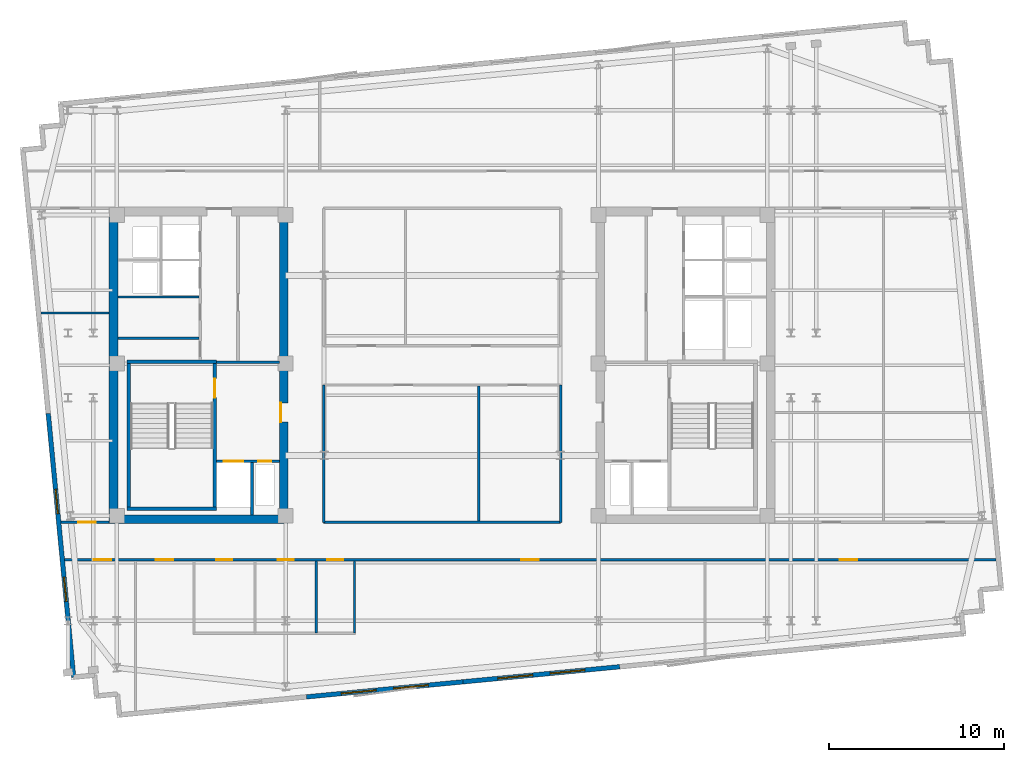
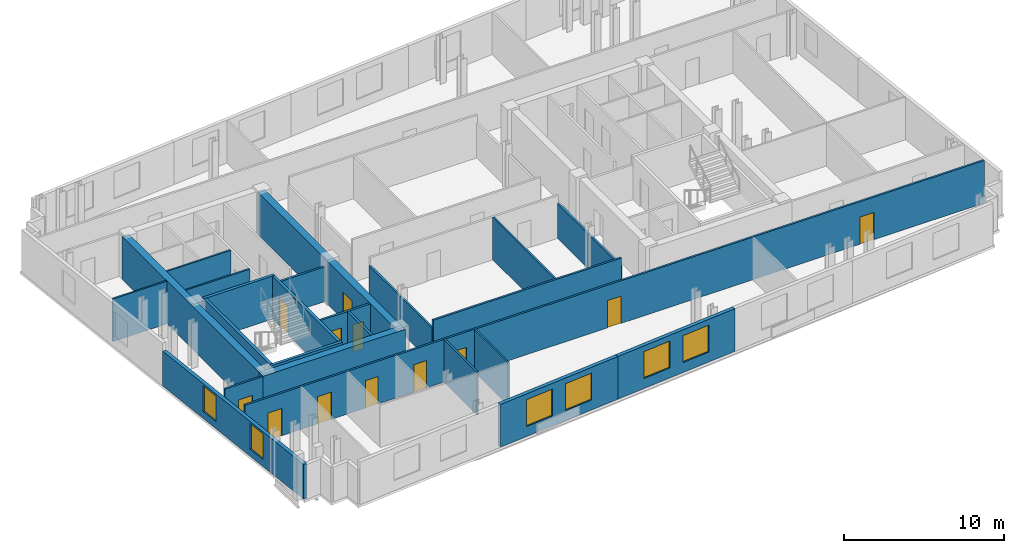
# One storey, part 3 of 8: 24 walls, 12 doors, 6 windows, 18 openings.
"""IFC4 building model written with IfcOpenShell, lengths in metres."""

from ifc_helpers import new_model, si_unit, direction, frame, frame_2d, origin, place, context, subcontext, project, spatial, rectangle, extrude, material, layer, layer_set, type_object, element, fill, save


model = new_model("IFC4")

# Units and contexts
model_context = context("Model", 3, precision=1e-05, world=origin(), true_north=direction((0.0, 1.0)))
body_context = subcontext(model_context, "Body", "Model", "MODEL_VIEW")
ifc_project = project(units=[si_unit("LENGTHUNIT", "METRE"), si_unit("AREAUNIT", "SQUARE_METRE"), si_unit("VOLUMEUNIT", "CUBIC_METRE"), si_unit("PLANEANGLEUNIT", "RADIAN"), si_unit("MASSUNIT", "GRAM", prefix="KILO")], contexts=[model_context])

# Site, building, storey
site_placement = place(None, origin())
site = spatial("IfcSite", under=ifc_project, at=site_placement, CompositionType="ELEMENT")
building_placement = place(site_placement, origin())
building = spatial("IfcBuilding", under=site, at=building_placement, Name="Velakula Bourse", CompositionType="ELEMENT")
storey_placement = place(building_placement, frame((0.0, 0.0, 255.14990234375)))
storey = spatial("IfcBuildingStorey", under=building, at=storey_placement, Name="L69", CompositionType="ELEMENT", Elevation=255.14990234375)

# Wall, opening, door
ifc_material_1 = material(Name="Concrete M50 (fck 50 MPa)", Category="concrete")
ifc_layer_1 = layer(ifc_material_1, 0.2099609375, Name="Concrete M50 (fck 50 MPa)", Category="concrete")
ifc_layer_set_1 = layer_set([ifc_layer_1], Name="Concrete M50 (fck 50 MPa)")
wall_type_1 = type_object("IfcWallType", Name="WL-CORE-210", PredefinedType="SHEAR", material=ifc_layer_set_1)
wall_1_placement = place(storey_placement, frame((-12.9951171875, -8.10009765625, 0.0), z_axis=(0.0, 0.0, 1.0), x_axis=(0.0, 1.0, 0.0)))
wall_1 = element("IfcWall", 1, at=wall_1_placement, inside=storey, type_object=wall_type_1, Name="L69 Core W Stairwell Shear Wall IN", PredefinedType="SHEAR", context=body_context, shape_type="SweptSolid", body=[
    extrude(rectangle(XDim=8.2001953125, YDim=0.2099609375, at=frame_2d((4.10009765625, 0.0))), origin(), (0.0, 0.0, 1.0), 3.27001953125),
])
opening_1_placement = place(wall_1_placement, frame((6.25, 0.0, 0.0)))
opening_1 = element("IfcOpeningElement", 2, at=opening_1_placement, cuts=wall_1, Name="Opening D-STW1", PredefinedType="OPENING", context=body_context, shape_type="SweptSolid", body=[
    extrude(rectangle(XDim=1.10009765625, YDim=2.14990234375, at=frame_2d((0.550048828125, 1.074951171875))), frame((0.0, 0.114990234375, 0.0), z_axis=(0.0, -1.0, 0.0), x_axis=(1.0, 0.0, 0.0)), (0.0, 0.0, 1.0), 0.22998046875),
])
ifc_material_2 = material(Name="Galvanised painted hollow steel fire door", Category="steel")
door_type_1 = type_object("IfcDoorType", Name="DR-FD120-1100x2150", OperationType="NOTDEFINED", PredefinedType="DOOR", material=ifc_material_2)
door_1_placement = place(opening_1_placement, origin())
door_1 = element("IfcDoor", 3, at=door_1_placement, inside=storey, type_object=door_type_1, Name="L69 Stair ST-W1 Fire Door", OperationType="SINGLE_SWING_LEFT", OverallHeight=2.14990234375, OverallWidth=1.10009765625, PredefinedType="DOOR", context=body_context, shape_type="SweptSolid", body=[
    extrude(rectangle(XDim=1.10009765625, YDim=2.14990234375, at=frame_2d((0.550048828125, 1.074951171875))), frame((0.0, 0.02490234375, 0.0), z_axis=(0.0, -1.0, 0.0), x_axis=(1.0, 0.0, 0.0)), (0.0, 0.0, 1.0), 0.050048828125),
])
fill(opening_1, door_1)

# Walls
wall_2_placement = place(storey_placement, frame((-17.925048828125, -8.10009765625, 0.0), z_axis=(0.0, 0.0, 1.0), x_axis=(0.0, 1.0, 0.0)))
element("IfcWall", 4, at=wall_2_placement, inside=storey, type_object=wall_type_1, Name="L69 Core W Stairwell Shear Wall OUT", PredefinedType="SHEAR", context=body_context, shape_type="SweptSolid", body=[
    extrude(rectangle(XDim=8.2001953125, YDim=0.2099609375, at=frame_2d((4.10009765625, 0.0))), origin(), (0.0, 0.0, 1.0), 3.27001953125),
])
for number, where, z_axis, x_axis, name in (
    (5, (-18.030029296875, -8.205078125, 0.0), (0.0, 0.0, 1.0), (1.0, 0.0, 0.0), "L69 Core W Stairwell Shear Wall S"),
    (6, (-12.889892578125, 0.205078125, 0.0), (0.0, 0.0, 1.0), (-1.0, 0.0, 0.0), "L69 Core W Stairwell Shear Wall N"),
):
    element("IfcWall", number, at=place(storey_placement, frame(where, z_axis=z_axis, x_axis=x_axis)), inside=storey, type_object=wall_type_1, Name=name, PredefinedType="SHEAR", context=body_context, shape_type="SweptSolid", body=[
        extrude(rectangle(XDim=5.14013671875, YDim=0.2099609375, at=frame_2d((2.570068359375, 0.0))), origin(), (0.0, 0.0, 1.0), 3.27001953125),
    ])
ifc_layer_2 = layer(ifc_material_1, 0.5, Name="Concrete M50 (fck 50 MPa)", Category="concrete")
ifc_layer_set_2 = layer_set([ifc_layer_2], Name="Concrete M50 (fck 50 MPa)")
wall_type_2 = type_object("IfcWallType", Name="WL-CORE-500", PredefinedType="SHEAR", material=ifc_layer_set_2)
wall_3_placement = place(storey_placement, frame((-19.050048828125, -8.800048828125, 0.0), z_axis=(0.0, 0.0, 1.0), x_axis=(1.0, 0.0, 0.0)))
element("IfcWall", 7, at=wall_3_placement, inside=storey, type_object=wall_type_2, Name="L69 Core W Shear Wall S", PredefinedType="SHEAR", context=body_context, shape_type="SweptSolid", body=[
    extrude(rectangle(XDim=10.25, YDim=0.5, at=frame_2d((5.125, 0.0))), origin(), (0.0, 0.0, 1.0), 3.27001953125),
])
wall_4_placement = place(storey_placement, frame((-18.800048828125, -8.550048828125, 0.0), z_axis=(0.0, 0.0, 1.0), x_axis=(0.0, 1.0, 0.0)))
element("IfcWall", 8, at=wall_4_placement, inside=storey, type_object=wall_type_2, Name="L69 Core W Shear Wall W", PredefinedType="SHEAR", context=body_context, shape_type="SweptSolid", body=[
    extrude(rectangle(XDim=17.10009765625, YDim=0.5, at=frame_2d((8.550048828125, 0.0))), origin(), (0.0, 0.0, 1.0), 3.27001953125),
])

# Wall, opening, door
wall_5_placement = place(storey_placement, frame((-9.050048828125, -8.550048828125, 0.0), z_axis=(0.0, 0.0, 1.0), x_axis=(0.0, 1.0, 0.0)))
wall_5 = element("IfcWall", 9, at=wall_5_placement, inside=storey, type_object=wall_type_2, Name="L69 Core W Shear Wall E", PredefinedType="SHEAR", context=body_context, shape_type="SweptSolid", body=[
    extrude(rectangle(XDim=17.10009765625, YDim=0.5, at=frame_2d((8.550048828125, 0.0))), origin(), (0.0, 0.0, 1.0), 3.27001953125),
])
opening_2_placement = place(wall_5_placement, frame((5.300048828125, 0.0, 0.0)))
opening_2 = element("IfcOpeningElement", 10, at=opening_2_placement, cuts=wall_5, Name="Opening D-FLW", PredefinedType="OPENING", context=body_context, shape_type="SweptSolid", body=[
    extrude(rectangle(XDim=1.10009765625, YDim=2.080078125, at=frame_2d((0.550048828125, 1.0400390625))), frame((0.0, 0.260009765625, 0.0), z_axis=(0.0, -1.0, 0.0), x_axis=(1.0, 0.0, 0.0)), (0.0, 0.0, 1.0), 0.52001953125),
])
door_type_2 = type_object("IfcDoorType", Name="DR-FD120-1100", OperationType="NOTDEFINED", PredefinedType="DOOR", material=ifc_material_2)
door_2_placement = place(opening_2_placement, origin())
door_2 = element("IfcDoor", 11, at=door_2_placement, inside=storey, type_object=door_type_2, Name="L69 Firefighting Lobby W Corridor Fire Door", OperationType="SINGLE_SWING_LEFT", OverallHeight=2.080078125, OverallWidth=1.10009765625, PredefinedType="DOOR", context=body_context, shape_type="SweptSolid", body=[
    extrude(rectangle(XDim=1.10009765625, YDim=2.080078125, at=frame_2d((0.550048828125, 1.0400390625))), frame((0.0, 0.205078125, 0.0), z_axis=(0.0, -1.0, 0.0), x_axis=(1.0, 0.0, 0.0)), (0.0, 0.0, 1.0), 0.050048828125),
])
fill(opening_2, door_2)

# Wall, openings, windows
ifc_material_3 = material(Name="Buff kilned clay facing brick masonry", Category="masonry")
ifc_layer_3 = layer(ifc_material_3, 0.260009765625, Name="Buff kilned clay facing brick masonry", Category="masonry")
ifc_layer_set_3 = layer_set([ifc_layer_3], Name="Buff kilned clay facing brick masonry")
wall_type_3 = type_object("IfcWallType", Name="WL-EXT-BRK-260", PredefinedType="STANDARD", material=ifc_layer_set_3)
wall_6_placement = place(storey_placement, frame((1.202880859375, -18.1005859375, 0.0), z_axis=(0.0, 0.0, 1.0), x_axis=(-0.995397043619, -0.095836973841, 0.0)))
wall_6 = element("IfcWall", 12, at=wall_6_placement, inside=storey, type_object=wall_type_3, Name="L69 S Brick Spandrel Wall B2", PredefinedType="STANDARD", context=body_context, shape_type="SweptSolid", body=[
    extrude(rectangle(XDim=9.000244140625, YDim=0.260009765625, at=frame_2d((4.5, 0.0))), origin(), (0.0, 0.0, 1.0), 3.25),
])
opening_3_placement = place(wall_6_placement, frame((2.0, 0.0, 0.760009765625)))
opening_3 = element("IfcOpeningElement", 13, at=opening_3_placement, cuts=wall_6, Name="Opening W-05", PredefinedType="OPENING", context=body_context, shape_type="SweptSolid", body=[
    extrude(rectangle(XDim=2.0, YDim=2.050048828125, at=frame_2d((1.0, 1.02490234375))), frame((0.0, 0.139892578125, 0.0), z_axis=(0.0, -1.0, 0.0), x_axis=(1.0, 0.0, 0.0)), (0.0, 0.0, 1.0), 0.280029296875),
])
opening_4_placement = place(wall_6_placement, frame((5.0, 0.0, 0.760009765625)))
opening_4 = element("IfcOpeningElement", 14, at=opening_4_placement, cuts=wall_6, Name="Opening W-05", PredefinedType="OPENING", context=body_context, shape_type="SweptSolid", body=[
    extrude(rectangle(XDim=2.0, YDim=2.050048828125, at=frame_2d((1.0, 1.02490234375))), frame((0.0, 0.139892578125, 0.0), z_axis=(0.0, -1.0, 0.0), x_axis=(1.0, 0.0, 0.0)), (0.0, 0.0, 1.0), 0.280029296875),
])
ifc_material_4 = material(Name="Double-glazed solar-control Low-E glass", Category="glass")
window_type_1 = type_object("IfcWindowType", Name="WIN-TWR-2000x2200", PartitioningType="DOUBLE_PANEL_VERTICAL", PredefinedType="WINDOW", material=ifc_material_4)
window_1_placement = place(opening_3_placement, origin())
window_1 = element("IfcWindow", 15, at=window_1_placement, inside=storey, type_object=window_type_1, Name="L69 Deep-Set Recessed Window 1", OverallHeight=2.050048828125, OverallWidth=2.0, PartitioningType="DOUBLE_PANEL_VERTICAL", PredefinedType="WINDOW", context=body_context, shape_type="SweptSolid", body=[
    extrude(rectangle(XDim=2.0, YDim=2.050048828125, at=frame_2d((1.0, 1.02490234375))), frame((0.0, 0.030029296875, 0.0), z_axis=(0.0, -1.0, 0.0), x_axis=(1.0, 0.0, 0.0)), (0.0, 0.0, 1.0), 0.06005859375),
])
fill(opening_3, window_1)
window_2_placement = place(opening_4_placement, origin())
window_2 = element("IfcWindow", 16, at=window_2_placement, inside=storey, type_object=window_type_1, Name="L69 Deep-Set Recessed Window 2", OverallHeight=2.050048828125, OverallWidth=2.0, PartitioningType="DOUBLE_PANEL_VERTICAL", PredefinedType="WINDOW", context=body_context, shape_type="SweptSolid", body=[
    extrude(rectangle(XDim=2.0, YDim=2.050048828125, at=frame_2d((1.0, 1.02490234375))), frame((0.0, 0.030029296875, 0.0), z_axis=(0.0, -1.0, 0.0), x_axis=(1.0, 0.0, 0.0)), (0.0, 0.0, 1.0), 0.06005859375),
])
fill(opening_4, window_2)

wall_7_placement = place(storey_placement, frame((10.161376953125, -17.23779296875, 0.0), z_axis=(0.0, 0.0, 1.0), x_axis=(-0.995394206237, -0.095866439332, 0.0)))
wall_7 = element("IfcWall", 17, at=wall_7_placement, inside=storey, type_object=wall_type_3, Name="L69 S Brick Spandrel Wall B3", PredefinedType="STANDARD", context=body_context, shape_type="SweptSolid", body=[
    extrude(rectangle(XDim=9.0, YDim=0.260009765625, at=frame_2d((4.5, 0.0))), origin(), (0.0, 0.0, 1.0), 3.25),
])
opening_5_placement = place(wall_7_placement, frame((2.0, 0.0, 0.760009765625)))
opening_5 = element("IfcOpeningElement", 18, at=opening_5_placement, cuts=wall_7, Name="Opening W-05", PredefinedType="OPENING", context=body_context, shape_type="SweptSolid", body=[
    extrude(rectangle(XDim=2.0, YDim=2.050048828125, at=frame_2d((1.0, 1.02490234375))), frame((0.0, 0.139892578125, 0.0), z_axis=(0.0, -1.0, 0.0), x_axis=(1.0, 0.0, 0.0)), (0.0, 0.0, 1.0), 0.280029296875),
])
opening_6_placement = place(wall_7_placement, frame((5.0, 0.0, 0.760009765625)))
opening_6 = element("IfcOpeningElement", 19, at=opening_6_placement, cuts=wall_7, Name="Opening W-05", PredefinedType="OPENING", context=body_context, shape_type="SweptSolid", body=[
    extrude(rectangle(XDim=2.0, YDim=2.050048828125, at=frame_2d((1.0, 1.02490234375))), frame((0.0, 0.139892578125, 0.0), z_axis=(0.0, -1.0, 0.0), x_axis=(1.0, 0.0, 0.0)), (0.0, 0.0, 1.0), 0.280029296875),
])
window_3_placement = place(opening_5_placement, origin())
window_3 = element("IfcWindow", 20, at=window_3_placement, inside=storey, type_object=window_type_1, Name="L69 Deep-Set Recessed Window 1", OverallHeight=2.050048828125, OverallWidth=2.0, PartitioningType="DOUBLE_PANEL_VERTICAL", PredefinedType="WINDOW", context=body_context, shape_type="SweptSolid", body=[
    extrude(rectangle(XDim=2.0, YDim=2.050048828125, at=frame_2d((1.0, 1.02490234375))), frame((0.0, 0.030029296875, 0.0), z_axis=(0.0, -1.0, 0.0), x_axis=(1.0, 0.0, 0.0)), (0.0, 0.0, 1.0), 0.06005859375),
])
fill(opening_5, window_3)
window_4_placement = place(opening_6_placement, origin())
window_4 = element("IfcWindow", 21, at=window_4_placement, inside=storey, type_object=window_type_1, Name="L69 Deep-Set Recessed Window 2", OverallHeight=2.050048828125, OverallWidth=2.0, PartitioningType="DOUBLE_PANEL_VERTICAL", PredefinedType="WINDOW", context=body_context, shape_type="SweptSolid", body=[
    extrude(rectangle(XDim=2.0, YDim=2.050048828125, at=frame_2d((1.0, 1.02490234375))), frame((0.0, 0.030029296875, 0.0), z_axis=(0.0, -1.0, 0.0), x_axis=(1.0, 0.0, 0.0)), (0.0, 0.0, 1.0), 0.06005859375),
])
fill(opening_6, window_4)

wall_8_placement = place(storey_placement, frame((-21.0751953125, -17.83447265625, 0.0), z_axis=(0.0, 0.0, 1.0), x_axis=(-0.095852427869, 0.995395555582, 0.0)))
wall_8 = element("IfcWall", 22, at=wall_8_placement, inside=storey, type_object=wall_type_3, Name="L69 W Brick End Wall W1", PredefinedType="STANDARD", context=body_context, shape_type="SweptSolid", body=[
    extrude(rectangle(XDim=15.14990234375, YDim=0.260009765625, at=frame_2d((7.574951171875, 0.0))), origin(), (0.0, 0.0, 1.0), 2.64501953125),
])
opening_7_placement = place(wall_8_placement, frame((4.35009765625, 0.0, 0.534912109375)))
opening_7 = element("IfcOpeningElement", 23, at=opening_7_placement, cuts=wall_8, Name="Opening W-03", PredefinedType="OPENING", context=body_context, shape_type="SweptSolid", body=[
    extrude(rectangle(XDim=1.39990234375, YDim=1.949951171875, at=frame_2d((0.699951171875, 0.97509765625))), frame((0.0, 0.139892578125, 0.0), z_axis=(0.0, -1.0, 0.0), x_axis=(1.0, 0.0, 0.0)), (0.0, 0.0, 1.0), 0.280029296875),
])
opening_8_placement = place(wall_8_placement, frame((9.39990234375, 0.0, 0.534912109375)))
opening_8 = element("IfcOpeningElement", 24, at=opening_8_placement, cuts=wall_8, Name="Opening W-03", PredefinedType="OPENING", context=body_context, shape_type="SweptSolid", body=[
    extrude(rectangle(XDim=1.39990234375, YDim=1.949951171875, at=frame_2d((0.699951171875, 0.97509765625))), frame((0.0, 0.139892578125, 0.0), z_axis=(0.0, -1.0, 0.0), x_axis=(1.0, 0.0, 0.0)), (0.0, 0.0, 1.0), 0.280029296875),
])
window_type_2 = type_object("IfcWindowType", Name="WIN-TWR-1400x2100", PartitioningType="SINGLE_PANEL", PredefinedType="WINDOW", material=ifc_material_4)
window_5_placement = place(opening_7_placement, origin())
window_5 = element("IfcWindow", 25, at=window_5_placement, inside=storey, type_object=window_type_2, Name="L69 Deep-Set Recessed Window 1", OverallHeight=1.949951171875, OverallWidth=1.39990234375, PartitioningType="SINGLE_PANEL", PredefinedType="WINDOW", context=body_context, shape_type="SweptSolid", body=[
    extrude(rectangle(XDim=1.39990234375, YDim=1.949951171875, at=frame_2d((0.699951171875, 0.97509765625))), frame((0.0, 0.030029296875, 0.0), z_axis=(0.0, -1.0, 0.0), x_axis=(1.0, 0.0, 0.0)), (0.0, 0.0, 1.0), 0.06005859375),
])
fill(opening_7, window_5)
window_6_placement = place(opening_8_placement, origin())
window_6 = element("IfcWindow", 26, at=window_6_placement, inside=storey, type_object=window_type_2, Name="L69 Deep-Set Recessed Window 2", OverallHeight=1.949951171875, OverallWidth=1.39990234375, PartitioningType="SINGLE_PANEL", PredefinedType="WINDOW", context=body_context, shape_type="SweptSolid", body=[
    extrude(rectangle(XDim=1.39990234375, YDim=1.949951171875, at=frame_2d((0.699951171875, 0.97509765625))), frame((0.0, 0.030029296875, 0.0), z_axis=(0.0, -1.0, 0.0), x_axis=(1.0, 0.0, 0.0)), (0.0, 0.0, 1.0), 0.06005859375),
])
fill(opening_8, window_6)

# Walls
ifc_material_5 = material(Name="Fire-rated double-layer gypsum drywall partition", Category="gypsum")
ifc_layer_4 = layer(ifc_material_5, 0.1201171875, Name="Fire-rated double-layer gypsum drywall partition", Category="gypsum")
ifc_layer_set_4 = layer_set([ifc_layer_4], Name="Fire-rated double-layer gypsum drywall partition")
wall_type_4 = type_object("IfcWallType", Name="WL-PART-120", PredefinedType="STANDARD", material=ifc_layer_set_4)
for number, where, z_axis, x_axis, name in (
    (27, (-18.550048828125, 3.919921875, 0.0), (0.0, 0.0, 1.0), (1.0, 0.0, 0.0), "L69 Interior Partition WL-CRW-L69-HI-S"),
    (28, (-18.550048828125, 1.550048828125, 0.0), (0.0, 0.0, 1.0), (1.0, 0.0, 0.0), "L69 Interior Partition WL-CRW-L69-K1"),
):
    element("IfcWall", number, at=place(storey_placement, frame(where, z_axis=z_axis, x_axis=x_axis)), inside=storey, type_object=wall_type_4, Name=name, PredefinedType="STANDARD", context=body_context, shape_type="SweptSolid", body=[
        extrude(rectangle(XDim=4.650146484375, YDim=0.1201171875, at=frame_2d((2.3251953125, 0.0))), origin(), (0.0, 0.0, 1.0), 3.25),
    ])
for number, where, z_axis, x_axis, name in (
    (29, (-7.199951171875, -15.320068359375, 0.0), (0.0, 0.0, 1.0), (0.0, 1.0, 0.0), "L69 Interior Partition WL-WC-L69-V3"),
    (30, (-5.0, -15.320068359375, 0.0), (0.0, 0.0, 1.0), (0.0, 1.0, 0.0), "L69 Interior Partition WL-WC-L69-V4"),
):
    element("IfcWall", number, at=place(storey_placement, frame(where, z_axis=z_axis, x_axis=x_axis)), inside=storey, type_object=wall_type_4, Name=name, PredefinedType="STANDARD", context=body_context, shape_type="SweptSolid", body=[
        extrude(rectangle(XDim=4.130126953125, YDim=0.1201171875, at=frame_2d((2.06494140625, 0.0))), origin(), (0.0, 0.0, 1.0), 3.25),
    ])
wall_9_placement = place(storey_placement, frame((-22.95068359375, 3.0, 0.0), z_axis=(0.0, 0.0, 1.0), x_axis=(1.0, 0.0, 0.0)))
element("IfcWall", 31, at=wall_9_placement, inside=storey, type_object=wall_type_4, Name="L69 Interior Partition WL-INT-L69-W-H", PredefinedType="STANDARD", context=body_context, shape_type="SweptSolid", body=[
    extrude(rectangle(XDim=3.900634765625, YDim=0.1201171875, at=frame_2d((1.9501953125, 0.0))), origin(), (0.0, 0.0, 1.0), 3.25),
])

# Wall, openings, doors
ifc_layer_5 = layer(ifc_material_5, 0.139892578125, Name="Fire-rated double-layer gypsum drywall partition", Category="gypsum")
ifc_layer_set_5 = layer_set([ifc_layer_5], Name="Fire-rated double-layer gypsum drywall partition")
wall_type_5 = type_object("IfcWallType", Name="WL-PART-140", PredefinedType="STANDARD", material=ifc_layer_set_5)
wall_10_placement = place(storey_placement, frame((-21.59130859375, -11.1201171875, 0.0), z_axis=(0.0, 0.0, 1.0), x_axis=(1.0, 0.0, 0.0)))
wall_10 = element("IfcWall", 32, at=wall_10_placement, inside=storey, type_object=wall_type_5, Name="L69 Interior Partition WL-INT-L69-S-CORR", PredefinedType="STANDARD", context=body_context, shape_type="SweptSolid", body=[
    extrude(rectangle(XDim=53.285400390625, YDim=0.139892578125, at=frame_2d((26.642578125, 0.0))), origin(), (0.0, 0.0, 1.0), 3.25),
])
opening_9_placement = place(wall_10_placement, frame((8.68115234375, 0.0, 0.0)))
opening_9 = element("IfcOpeningElement", 33, at=opening_9_placement, cuts=wall_10, Name="Opening D-WT1", PredefinedType="OPENING", context=body_context, shape_type="SweptSolid", body=[
    extrude(rectangle(XDim=0.919921875, YDim=2.080078125, at=frame_2d((0.4599609375, 1.0400390625))), frame((0.0, 0.079833984375, 0.0), z_axis=(0.0, -1.0, 0.0), x_axis=(1.0, 0.0, 0.0)), (0.0, 0.0, 1.0), 0.159912109375),
])
opening_10_placement = place(wall_10_placement, frame((12.18115234375, 0.0, 0.0)))
opening_10 = element("IfcOpeningElement", 34, at=opening_10_placement, cuts=wall_10, Name="Opening D-WT1", PredefinedType="OPENING", context=body_context, shape_type="SweptSolid", body=[
    extrude(rectangle(XDim=0.919921875, YDim=2.080078125, at=frame_2d((0.4599609375, 1.0400390625))), frame((0.0, 0.079833984375, 0.0), z_axis=(0.0, -1.0, 0.0), x_axis=(1.0, 0.0, 0.0)), (0.0, 0.0, 1.0), 0.159912109375),
])
opening_11_placement = place(wall_10_placement, frame((15.03125, 0.0, 0.0)))
opening_11 = element("IfcOpeningElement", 35, at=opening_11_placement, cuts=wall_10, Name="Opening D-WC1", PredefinedType="OPENING", context=body_context, shape_type="SweptSolid", body=[
    extrude(rectangle(XDim=0.919921875, YDim=2.080078125, at=frame_2d((0.4599609375, 1.0400390625))), frame((0.0, 0.079833984375, 0.0), z_axis=(0.0, -1.0, 0.0), x_axis=(1.0, 0.0, 0.0)), (0.0, 0.0, 1.0), 0.159912109375),
])
opening_12_placement = place(wall_10_placement, frame((1.655517578125, 0.0, 0.0)))
opening_12 = element("IfcOpeningElement", 36, at=opening_12_placement, cuts=wall_10, Name="Opening D-OF1", PredefinedType="OPENING", context=body_context, shape_type="SweptSolid", body=[
    extrude(rectangle(XDim=1.0, YDim=2.080078125, at=frame_2d((0.5, 1.0400390625))), frame((0.0, 0.079833984375, 0.0), z_axis=(0.0, -1.0, 0.0), x_axis=(1.0, 0.0, 0.0)), (0.0, 0.0, 1.0), 0.159912109375),
])
opening_13_placement = place(wall_10_placement, frame((5.22509765625, 0.0, 0.0)))
opening_13 = element("IfcOpeningElement", 37, at=opening_13_placement, cuts=wall_10, Name="Opening D-OF1", PredefinedType="OPENING", context=body_context, shape_type="SweptSolid", body=[
    extrude(rectangle(XDim=1.0, YDim=2.080078125, at=frame_2d((0.5, 1.0400390625))), frame((0.0, 0.079833984375, 0.0), z_axis=(0.0, -1.0, 0.0), x_axis=(1.0, 0.0, 0.0)), (0.0, 0.0, 1.0), 0.159912109375),
])
opening_14_placement = place(wall_10_placement, frame((26.11181640625, 0.0, 0.0)))
opening_14 = element("IfcOpeningElement", 38, at=opening_14_placement, cuts=wall_10, Name="Opening D-OF1", PredefinedType="OPENING", context=body_context, shape_type="SweptSolid", body=[
    extrude(rectangle(XDim=1.0, YDim=2.080078125, at=frame_2d((0.5, 1.0400390625))), frame((0.0, 0.079833984375, 0.0), z_axis=(0.0, -1.0, 0.0), x_axis=(1.0, 0.0, 0.0)), (0.0, 0.0, 1.0), 0.159912109375),
])
opening_15_placement = place(wall_10_placement, frame((44.332763671875, 0.0, 0.0)))
opening_15 = element("IfcOpeningElement", 39, at=opening_15_placement, cuts=wall_10, Name="Opening D-OF1", PredefinedType="OPENING", context=body_context, shape_type="SweptSolid", body=[
    extrude(rectangle(XDim=1.0, YDim=2.080078125, at=frame_2d((0.5, 1.0400390625))), frame((0.0, 0.079833984375, 0.0), z_axis=(0.0, -1.0, 0.0), x_axis=(1.0, 0.0, 0.0)), (0.0, 0.0, 1.0), 0.159912109375),
])
ifc_material_6 = material(Name="Fire-rated hardwood flush architectural door", Category="wood")
door_type_3 = type_object("IfcDoorType", Name="DR-OFF-1000", OperationType="NOTDEFINED", PredefinedType="DOOR", material=ifc_material_6)
door_3_placement = place(opening_12_placement, origin())
door_3 = element("IfcDoor", 40, at=door_3_placement, inside=storey, type_object=door_type_3, Name="L69 Economic Reference Library Door", OperationType="SINGLE_SWING_LEFT", OverallHeight=2.080078125, OverallWidth=1.0, PredefinedType="DOOR", context=body_context, shape_type="SweptSolid", body=[
    extrude(rectangle(XDim=1.0, YDim=2.080078125, at=frame_2d((0.5, 1.0400390625))), frame((0.0, 0.02490234375, 0.0), z_axis=(0.0, -1.0, 0.0), x_axis=(1.0, 0.0, 0.0)), (0.0, 0.0, 1.0), 0.050048828125),
])
fill(opening_12, door_3)
door_4_placement = place(opening_13_placement, origin())
door_4 = element("IfcDoor", 41, at=door_4_placement, inside=storey, type_object=door_type_3, Name="L69 Legal Counsel Office Door", OperationType="SINGLE_SWING_RIGHT", OverallHeight=2.080078125, OverallWidth=1.0, PredefinedType="DOOR", context=body_context, shape_type="SweptSolid", body=[
    extrude(rectangle(XDim=1.0, YDim=2.080078125, at=frame_2d((0.5, 1.0400390625))), frame((0.0, 0.02490234375, 0.0), z_axis=(0.0, -1.0, 0.0), x_axis=(1.0, 0.0, 0.0)), (0.0, 0.0, 1.0), 0.050048828125),
])
fill(opening_13, door_4)
door_5_placement = place(opening_14_placement, origin())
door_5 = element("IfcDoor", 42, at=door_5_placement, inside=storey, type_object=door_type_3, Name="L69 Risk Review Boardroom Door", OperationType="SINGLE_SWING_LEFT", OverallHeight=2.080078125, OverallWidth=1.0, PredefinedType="DOOR", context=body_context, shape_type="SweptSolid", body=[
    extrude(rectangle(XDim=1.0, YDim=2.080078125, at=frame_2d((0.5, 1.0400390625))), frame((0.0, 0.02490234375, 0.0), z_axis=(0.0, -1.0, 0.0), x_axis=(1.0, 0.0, 0.0)), (0.0, 0.0, 1.0), 0.050048828125),
])
fill(opening_14, door_5)
door_6_placement = place(opening_15_placement, origin())
door_6 = element("IfcDoor", 43, at=door_6_placement, inside=storey, type_object=door_type_3, Name="L69 Catering Servery Pantry Door", OperationType="SINGLE_SWING_RIGHT", OverallHeight=2.080078125, OverallWidth=1.0, PredefinedType="DOOR", context=body_context, shape_type="SweptSolid", body=[
    extrude(rectangle(XDim=1.0, YDim=2.080078125, at=frame_2d((0.5, 1.0400390625))), frame((0.0, 0.02490234375, 0.0), z_axis=(0.0, -1.0, 0.0), x_axis=(1.0, 0.0, 0.0)), (0.0, 0.0, 1.0), 0.050048828125),
])
fill(opening_15, door_6)
door_type_4 = type_object("IfcDoorType", Name="DR-WC-950", OperationType="NOTDEFINED", PredefinedType="DOOR", material=ifc_material_6)
door_7_placement = place(opening_9_placement, origin())
door_7 = element("IfcDoor", 44, at=door_7_placement, inside=storey, type_object=door_type_4, Name="L69 Male Staff Toilet Door", OperationType="SINGLE_SWING_RIGHT", OverallHeight=2.080078125, OverallWidth=0.919921875, PredefinedType="DOOR", context=body_context, shape_type="SweptSolid", body=[
    extrude(rectangle(XDim=0.919921875, YDim=2.080078125, at=frame_2d((0.4599609375, 1.0400390625))), frame((0.0, 0.02490234375, 0.0), z_axis=(0.0, -1.0, 0.0), x_axis=(1.0, 0.0, 0.0)), (0.0, 0.0, 1.0), 0.050048828125),
])
fill(opening_9, door_7)
door_8_placement = place(opening_10_placement, origin())
door_8 = element("IfcDoor", 45, at=door_8_placement, inside=storey, type_object=door_type_4, Name="L69 Female Staff Toilet Door", OperationType="SINGLE_SWING_LEFT", OverallHeight=2.080078125, OverallWidth=0.919921875, PredefinedType="DOOR", context=body_context, shape_type="SweptSolid", body=[
    extrude(rectangle(XDim=0.919921875, YDim=2.080078125, at=frame_2d((0.4599609375, 1.0400390625))), frame((0.0, 0.02490234375, 0.0), z_axis=(0.0, -1.0, 0.0), x_axis=(1.0, 0.0, 0.0)), (0.0, 0.0, 1.0), 0.050048828125),
])
fill(opening_10, door_8)
door_9_placement = place(opening_11_placement, origin())
door_9 = element("IfcDoor", 46, at=door_9_placement, inside=storey, type_object=door_type_4, Name="L69 Accessible WC Door", OperationType="SINGLE_SWING_RIGHT", OverallHeight=2.080078125, OverallWidth=0.919921875, PredefinedType="DOOR", context=body_context, shape_type="SweptSolid", body=[
    extrude(rectangle(XDim=0.919921875, YDim=2.080078125, at=frame_2d((0.4599609375, 1.0400390625))), frame((0.0, 0.02490234375, 0.0), z_axis=(0.0, -1.0, 0.0), x_axis=(1.0, 0.0, 0.0)), (0.0, 0.0, 1.0), 0.050048828125),
])
fill(opening_11, door_9)

# Wall, opening, door
wall_11_placement = place(storey_placement, frame((-21.797119140625, -8.97998046875, 0.0), z_axis=(0.0, 0.0, 1.0), x_axis=(1.0, 0.0, 0.0)))
wall_11 = element("IfcWall", 47, at=wall_11_placement, inside=storey, type_object=wall_type_5, Name="L69 Interior Partition WL-INT-L69-W-SC", PredefinedType="STANDARD", context=body_context, shape_type="SweptSolid", body=[
    extrude(rectangle(XDim=2.7470703125, YDim=0.139892578125, at=frame_2d((1.37353515625, 0.0))), origin(), (0.0, 0.0, 1.0), 3.25),
])
opening_16_placement = place(wall_11_placement, frame((0.984375, 0.0, 0.0)))
opening_16 = element("IfcOpeningElement", 48, at=opening_16_placement, cuts=wall_11, Name="Opening D-OF1", PredefinedType="OPENING", context=body_context, shape_type="SweptSolid", body=[
    extrude(rectangle(XDim=1.0, YDim=2.080078125, at=frame_2d((0.5, 1.0400390625))), frame((0.0, 0.079833984375, 0.0), z_axis=(0.0, -1.0, 0.0), x_axis=(1.0, 0.0, 0.0)), (0.0, 0.0, 1.0), 0.159912109375),
])
door_10_placement = place(opening_16_placement, origin())
door_10 = element("IfcDoor", 49, at=door_10_placement, inside=storey, type_object=door_type_3, Name="L69 Sovereign Wealth Desk Workspace Door", OperationType="SINGLE_SWING_RIGHT", OverallHeight=2.080078125, OverallWidth=1.0, PredefinedType="DOOR", context=body_context, shape_type="SweptSolid", body=[
    extrude(rectangle(XDim=1.0, YDim=2.080078125, at=frame_2d((0.5, 1.0400390625))), frame((0.0, 0.02490234375, 0.0), z_axis=(0.0, -1.0, 0.0), x_axis=(1.0, 0.0, 0.0)), (0.0, 0.0, 1.0), 0.050048828125),
])
fill(opening_16, door_10)

# Walls
wall_12_placement = place(storey_placement, frame((-6.780029296875, -8.97998046875, 0.0), z_axis=(0.0, 0.0, 1.0), x_axis=(1.0, 0.0, 0.0)))
element("IfcWall", 50, at=wall_12_placement, inside=storey, type_object=wall_type_5, Name="L69 Interior Partition WL-INT-L69-MS-OUT", PredefinedType="STANDARD", context=body_context, shape_type="SweptSolid", body=[
    extrude(rectangle(XDim=13.56005859375, YDim=0.139892578125, at=frame_2d((6.780029296875, 0.0))), origin(), (0.0, 0.0, 1.0), 3.25),
])
for number, where, z_axis, x_axis, name in (
    (51, (-6.780029296875, -8.97998046875, 0.0), (0.0, 0.0, 1.0), (0.0, 1.0, 0.0), "L69 Interior Partition WL-INT-L69-MS-W"),
    (52, (6.780029296875, -8.97998046875, 0.0), (0.0, 0.0, 1.0), (0.0, 1.0, 0.0), "L69 Interior Partition WL-INT-L69-MS-E"),
):
    element("IfcWall", number, at=place(storey_placement, frame(where, z_axis=z_axis, x_axis=x_axis)), inside=storey, type_object=wall_type_5, Name=name, PredefinedType="STANDARD", context=body_context, shape_type="SweptSolid", body=[
        extrude(rectangle(XDim=7.85986328125, YDim=0.139892578125, at=frame_2d((3.929931640625, 0.0))), origin(), (0.0, 0.0, 1.0), 2.64501953125),
    ])
wall_13_placement = place(storey_placement, frame((2.10009765625, -8.909912109375, 0.0), z_axis=(0.0, 0.0, 1.0), x_axis=(0.0, 1.0, 0.0)))
element("IfcWall", 53, at=wall_13_placement, inside=storey, type_object=wall_type_5, Name="L69 Interior Partition WL-INT-L69-MS-V1", PredefinedType="STANDARD", context=body_context, shape_type="SweptSolid", body=[
    extrude(rectangle(XDim=7.719970703125, YDim=0.1201171875, at=frame_2d((3.85986328125, 0.0))), origin(), (0.0, 0.0, 1.0), 3.25),
])

# Wall, openings, doors
ifc_material_7 = material(Name="Autoclaved aerated concrete blockwork masonry", Category="masonry")
ifc_layer_6 = layer(ifc_material_7, 0.14990234375, Name="Autoclaved aerated concrete blockwork masonry", Category="masonry")
ifc_layer_set_6 = layer_set([ifc_layer_6], Name="Autoclaved aerated concrete blockwork masonry")
wall_type_6 = type_object("IfcWallType", Name="WL-SHAFT-150", PredefinedType="STANDARD", material=ifc_layer_set_6)
wall_14_placement = place(storey_placement, frame((-12.89501953125, -5.47509765625, 0.0), z_axis=(0.0, 0.0, 1.0), x_axis=(1.0, 0.0, 0.0)))
wall_14 = element("IfcWall", 54, at=wall_14_placement, inside=storey, type_object=wall_type_6, Name="L69 Interior Partition WL-CRW-L69-FFL-N", PredefinedType="STANDARD", context=body_context, shape_type="SweptSolid", body=[
    extrude(rectangle(XDim=3.594970703125, YDim=0.14990234375, at=frame_2d((1.79736328125, 0.0))), origin(), (0.0, 0.0, 1.0), 3.25),
])
opening_17_placement = place(wall_14_placement, frame((0.419921875, 0.0, 0.0)))
opening_17 = element("IfcOpeningElement", 55, at=opening_17_placement, cuts=wall_14, Name="Opening LD-FFL-1", PredefinedType="OPENING", context=body_context, shape_type="SweptSolid", body=[
    extrude(rectangle(XDim=1.10009765625, YDim=2.14990234375, at=frame_2d((0.550048828125, 1.074951171875))), frame((0.0, 0.0849609375, 0.0), z_axis=(0.0, -1.0, 0.0), x_axis=(1.0, 0.0, 0.0)), (0.0, 0.0, 1.0), 0.169921875),
])
opening_18_placement = place(wall_14_placement, frame((2.3701171875, 0.0, 0.0)))
opening_18 = element("IfcOpeningElement", 56, at=opening_18_placement, cuts=wall_14, Name="Opening D-RS1", PredefinedType="OPENING", context=body_context, shape_type="SweptSolid", body=[
    extrude(rectangle(XDim=0.75, YDim=2.050048828125, at=frame_2d((0.375, 1.02490234375))), frame((0.0, 0.0849609375, 0.0), z_axis=(0.0, -1.0, 0.0), x_axis=(1.0, 0.0, 0.0)), (0.0, 0.0, 1.0), 0.169921875),
])
door_type_5 = type_object("IfcDoorType", Name="DR-RISER-800", OperationType="NOTDEFINED", PredefinedType="DOOR", material=ifc_material_2)
door_11_placement = place(opening_18_placement, origin())
door_11 = element("IfcDoor", 57, at=door_11_placement, inside=storey, type_object=door_type_5, Name="L69 Fire Riser Access Door", OperationType="SINGLE_SWING_LEFT", OverallHeight=2.050048828125, OverallWidth=0.75, PredefinedType="DOOR", context=body_context, shape_type="SweptSolid", body=[
    extrude(rectangle(XDim=0.75, YDim=2.050048828125, at=frame_2d((0.375, 1.02490234375))), frame((0.0, 0.02490234375, 0.0), z_axis=(0.0, -1.0, 0.0), x_axis=(1.0, 0.0, 0.0)), (0.0, 0.0, 1.0), 0.050048828125),
])
fill(opening_18, door_11)
ifc_material_8 = material(Name="Brushed grade 316 stainless steel", Category="steel")
door_type_6 = type_object("IfcDoorType", Name="DR-SLIDE-FFL-1100", OperationType="DOUBLE_DOOR_SLIDING", PredefinedType="DOOR", material=ifc_material_8)
door_12_placement = place(opening_17_placement, origin())
door_12 = element("IfcDoor", 58, at=door_12_placement, inside=storey, type_object=door_type_6, Name="L69 Firefighting Lift FFL-1 Sliding Landing Door", OperationType="DOUBLE_DOOR_SLIDING", OverallHeight=2.14990234375, OverallWidth=1.10009765625, PredefinedType="DOOR", context=body_context, shape_type="SweptSolid", body=[
    extrude(rectangle(XDim=1.10009765625, YDim=2.14990234375, at=frame_2d((0.550048828125, 1.074951171875))), frame((0.0, 0.02490234375, 0.0), z_axis=(0.0, -1.0, 0.0), x_axis=(1.0, 0.0, 0.0)), (0.0, 0.0, 1.0), 0.050048828125),
])
fill(opening_17, door_12)

# Walls
wall_15_placement = place(storey_placement, frame((-10.875, -8.550048828125, 0.0), z_axis=(0.0, 0.0, 1.0), x_axis=(0.0, 1.0, 0.0)))
element("IfcWall", 59, at=wall_15_placement, inside=storey, type_object=wall_type_6, Name="L69 Interior Partition WL-CRW-L69-FR-DIV", PredefinedType="STANDARD", context=body_context, shape_type="SweptSolid", body=[
    extrude(rectangle(XDim=3.0, YDim=0.14990234375, at=frame_2d((1.5, 0.0))), origin(), (0.0, 0.0, 1.0), 3.25),
])
wall_16_placement = place(storey_placement, frame((-12.889892578125, 0.18994140625, 0.0), z_axis=(0.0, 0.0, 1.0), x_axis=(1.0, 0.0, 0.0)))
element("IfcWall", 60, at=wall_16_placement, inside=storey, type_object=wall_type_6, Name="L69 Interior Partition WL-CRW-L69-FF-TOP", PredefinedType="STANDARD", context=body_context, shape_type="SweptSolid", body=[
    extrude(rectangle(XDim=3.58984375, YDim=0.14990234375, at=frame_2d((1.794921875, 0.0))), origin(), (0.0, 0.0, 1.0), 2.64501953125),
])

save(model, "model.ifc")
